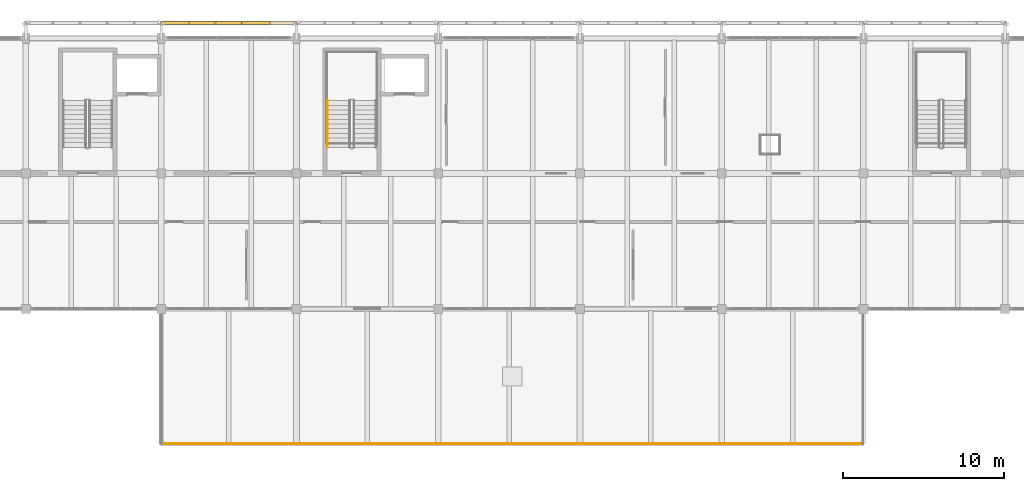
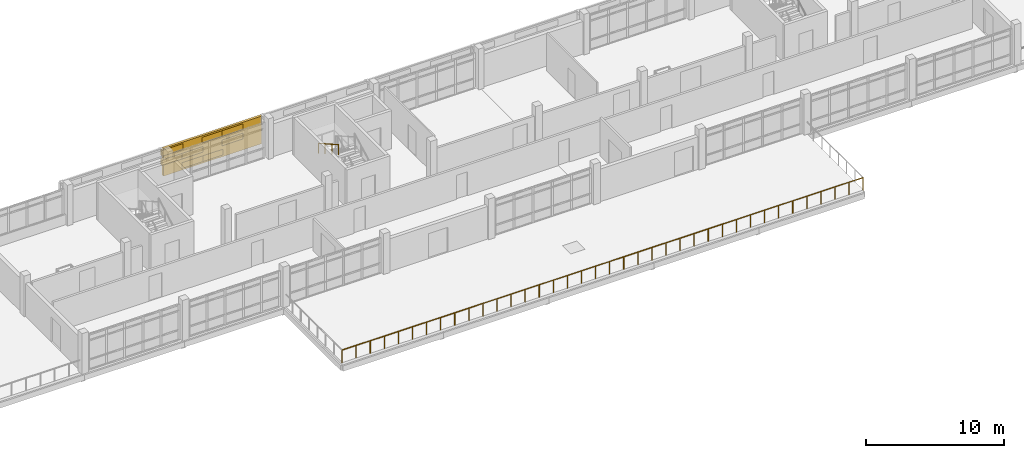
# One storey, part 27 of 30: 8 coverings, 2 railings, 1 shading device.
"""IFC4 building model written with IfcOpenShell, lengths in metres."""

from ifc_helpers import new_model, si_unit, direction, frame, origin, origin_2d, place, context, subcontext, project, spatial, rectangle, circle, extrude, material, layer, layer_set, type_object, element, save


model = new_model("IFC4")

# Units and contexts
model_context = context("Model", 3, precision=1e-05, world=origin(), true_north=direction((0.0, 1.0)))
body_context = subcontext(model_context, "Body", "Model", "MODEL_VIEW")
ifc_project = project(units=[si_unit("LENGTHUNIT", "METRE"), si_unit("AREAUNIT", "SQUARE_METRE"), si_unit("VOLUMEUNIT", "CUBIC_METRE"), si_unit("PLANEANGLEUNIT", "RADIAN"), si_unit("MASSUNIT", "GRAM", prefix="KILO")], contexts=[model_context])

# Site, building, storey
site_placement = place(None, origin())
site = spatial("IfcSite", under=ifc_project, at=site_placement, CompositionType="ELEMENT")
building_placement = place(site_placement, origin())
building = spatial("IfcBuilding", under=site, at=building_placement, Name="Cinderway Yard Community Centre", CompositionType="ELEMENT")
storey_placement = place(building_placement, frame((0.0, 0.0, 16.5)))
storey = spatial("IfcBuildingStorey", under=building, at=storey_placement, Name="L04", CompositionType="ELEMENT", Elevation=16.5)

# Coverings
ifc_material_1 = material(Name="Brick Masonry", Category="masonry")
ifc_layer = layer(ifc_material_1, 0.18994140625, Name="Brick Masonry")
ifc_layer_set = layer_set([ifc_layer], Name="Brick Masonry")
covering_type = type_object("IfcCoveringType", Name="ENV-COV-BRK-SCREEN", PredefinedType="CLADDING", material=ifc_layer_set)
for number, where, z_axis, x_axis, name in (
    (1, (69.320068359375, 116.14990234375, 0.7900390625), (0.0, 0.0, 1.0), (1.0, 0.0, 0.0), "Open-bond perforated brick screen course 00374"),
    (2, (71.0, 116.14990234375, 0.7900390625), (0.0, 0.0, 1.0), (1.0, 0.0, 0.0), "Open-bond perforated brick screen course 00375"),
    (3, (67.639892578125, 116.14990234375, 1.62109375), (0.0, 0.0, 1.0), (1.0, 0.0, 0.0), "Open-bond perforated brick screen course 00377"),
    (4, (69.320068359375, 116.14990234375, 1.62109375), (0.0, 0.0, 1.0), (1.0, 0.0, 0.0), "Open-bond perforated brick screen course 00378"),
    (5, (72.679931640625, 116.14990234375, 1.62109375), (0.0, 0.0, 1.0), (1.0, 0.0, 0.0), "Open-bond perforated brick screen course 00379"),
    (6, (67.639892578125, 116.14990234375, 2.4521484375), (0.0, 0.0, 1.0), (1.0, 0.0, 0.0), "Open-bond perforated brick screen course 00381"),
    (7, (71.0, 116.14990234375, 2.4521484375), (0.0, 0.0, 1.0), (1.0, 0.0, 0.0), "Open-bond perforated brick screen course 00382"),
    (8, (72.679931640625, 116.14990234375, 2.4521484375), (0.0, 0.0, 1.0), (1.0, 0.0, 0.0), "Open-bond perforated brick screen course 00383"),
):
    element("IfcCovering", number, at=place(storey_placement, frame(where, z_axis=z_axis, x_axis=x_axis)), inside=storey, type_object=covering_type, Name=name, PredefinedType="CLADDING", context=body_context, shape_type="SweptSolid", body=[
        extrude(rectangle(XDim=1.760009765625, YDim=0.18994140625, at=origin_2d()), origin(), (0.0, 0.0, 1.0), 0.508056640625),
    ])

# Shading device
shading_device_type = type_object("IfcShadingDeviceType", Name="ENV-SHD-BRICKSCREEN-A", PredefinedType="USERDEFINED", material=ifc_material_1)
shading_device_placement = place(storey_placement, frame((71.0, 116.14990234375, 0.64990234375), z_axis=(0.0, 0.0, 1.0), x_axis=(1.0, 0.0, 0.0)))
element("IfcShadingDevice", 9, at=shading_device_placement, inside=storey, type_object=shading_device_type, Name="Street Perforated Brick Screen 0276", ObjectType="PERFORATED BRICK SCREEN", PredefinedType="USERDEFINED", context=body_context, shape_type="SweptSolid", body=[
    extrude(rectangle(XDim=8.199951171875, YDim=0.18994140625, at=origin_2d()), origin(), (0.0, 0.0, 1.0), 2.449951171875),
])

# Railings
ifc_material_2 = material(Name="Painted Galvanised Steel", Category="steel")
railing_type_1 = type_object("IfcRailingType", Name="INT-RAL-GRD112", PredefinedType="GUARDRAIL", material=ifc_material_2)
railing_1_placement = place(storey_placement, frame((66.800048828125, 90.02001953125, 0.0)))
element("IfcRailing", 10, at=railing_1_placement, inside=storey, type_object=railing_type_1, Name="V4 L04 South Courtyard Terrace Guard 046", PredefinedType="GUARDRAIL", context=body_context, shape_type="SweptSolid", body=[
    extrude(circle(Radius=0.02392578125, at=origin_2d()), frame((0.0, 0.0, 1.09619140625), z_axis=(1.0, 0.0, 0.0), x_axis=(0.0, 1.0, 0.0)), (0.0, 0.0, 1.0), 43.579833984375),
    extrude(circle(Radius=0.02099609375, at=origin_2d()), origin(), (0.0, 0.0, 1.0), 1.072021484375),
    extrude(circle(Radius=0.02099609375, at=origin_2d()), frame((1.177734375, 0.0, 0.0)), (0.0, 0.0, 1.0), 1.072021484375),
    extrude(circle(Radius=0.02099609375, at=origin_2d()), frame((2.355712890625, 0.0, 0.0)), (0.0, 0.0, 1.0), 1.072021484375),
    extrude(circle(Radius=0.02099609375, at=origin_2d()), frame((3.533447265625, 0.0, 0.0)), (0.0, 0.0, 1.0), 1.072021484375),
    extrude(circle(Radius=0.02099609375, at=origin_2d()), frame((4.71142578125, 0.0, 0.0)), (0.0, 0.0, 1.0), 1.072021484375),
    extrude(circle(Radius=0.02099609375, at=origin_2d()), frame((5.88916015625, 0.0, 0.0)), (0.0, 0.0, 1.0), 1.072021484375),
    extrude(circle(Radius=0.02099609375, at=origin_2d()), frame((7.06689453125, 0.0, 0.0)), (0.0, 0.0, 1.0), 1.072021484375),
    extrude(circle(Radius=0.02099609375, at=origin_2d()), frame((8.244873046875, 0.0, 0.0)), (0.0, 0.0, 1.0), 1.072021484375),
    extrude(circle(Radius=0.02099609375, at=origin_2d()), frame((9.422607421875, 0.0, 0.0)), (0.0, 0.0, 1.0), 1.072021484375),
    extrude(circle(Radius=0.02099609375, at=origin_2d()), frame((10.6005859375, 0.0, 0.0)), (0.0, 0.0, 1.0), 1.072021484375),
    extrude(circle(Radius=0.02099609375, at=origin_2d()), frame((11.7783203125, 0.0, 0.0)), (0.0, 0.0, 1.0), 1.072021484375),
    extrude(circle(Radius=0.02099609375, at=origin_2d()), frame((12.9560546875, 0.0, 0.0)), (0.0, 0.0, 1.0), 1.072021484375),
    extrude(circle(Radius=0.02099609375, at=origin_2d()), frame((14.134033203125, 0.0, 0.0)), (0.0, 0.0, 1.0), 1.072021484375),
    extrude(circle(Radius=0.02099609375, at=origin_2d()), frame((15.311767578125, 0.0, 0.0)), (0.0, 0.0, 1.0), 1.072021484375),
    extrude(circle(Radius=0.02099609375, at=origin_2d()), frame((16.48974609375, 0.0, 0.0)), (0.0, 0.0, 1.0), 1.072021484375),
    extrude(circle(Radius=0.02099609375, at=origin_2d()), frame((17.66748046875, 0.0, 0.0)), (0.0, 0.0, 1.0), 1.072021484375),
    extrude(circle(Radius=0.02099609375, at=origin_2d()), frame((18.84521484375, 0.0, 0.0)), (0.0, 0.0, 1.0), 1.072021484375),
    extrude(circle(Radius=0.02099609375, at=origin_2d()), frame((20.023193359375, 0.0, 0.0)), (0.0, 0.0, 1.0), 1.072021484375),
    extrude(circle(Radius=0.02099609375, at=origin_2d()), frame((21.200927734375, 0.0, 0.0)), (0.0, 0.0, 1.0), 1.072021484375),
    extrude(circle(Radius=0.02099609375, at=origin_2d()), frame((22.37890625, 0.0, 0.0)), (0.0, 0.0, 1.0), 1.072021484375),
    extrude(circle(Radius=0.02099609375, at=origin_2d()), frame((23.556640625, 0.0, 0.0)), (0.0, 0.0, 1.0), 1.072021484375),
    extrude(circle(Radius=0.02099609375, at=origin_2d()), frame((24.734619140625, 0.0, 0.0)), (0.0, 0.0, 1.0), 1.072021484375),
    extrude(circle(Radius=0.02099609375, at=origin_2d()), frame((25.912353515625, 0.0, 0.0)), (0.0, 0.0, 1.0), 1.072021484375),
    extrude(circle(Radius=0.02099609375, at=origin_2d()), frame((27.090087890625, 0.0, 0.0)), (0.0, 0.0, 1.0), 1.072021484375),
    extrude(circle(Radius=0.02099609375, at=origin_2d()), frame((28.26806640625, 0.0, 0.0)), (0.0, 0.0, 1.0), 1.072021484375),
    extrude(circle(Radius=0.02099609375, at=origin_2d()), frame((29.44580078125, 0.0, 0.0)), (0.0, 0.0, 1.0), 1.072021484375),
    extrude(circle(Radius=0.02099609375, at=origin_2d()), frame((30.623779296875, 0.0, 0.0)), (0.0, 0.0, 1.0), 1.072021484375),
    extrude(circle(Radius=0.02099609375, at=origin_2d()), frame((31.801513671875, 0.0, 0.0)), (0.0, 0.0, 1.0), 1.072021484375),
    extrude(circle(Radius=0.02099609375, at=origin_2d()), frame((32.979248046875, 0.0, 0.0)), (0.0, 0.0, 1.0), 1.072021484375),
    extrude(circle(Radius=0.02099609375, at=origin_2d()), frame((34.1572265625, 0.0, 0.0)), (0.0, 0.0, 1.0), 1.072021484375),
    extrude(circle(Radius=0.02099609375, at=origin_2d()), frame((35.3349609375, 0.0, 0.0)), (0.0, 0.0, 1.0), 1.072021484375),
    extrude(circle(Radius=0.02099609375, at=origin_2d()), frame((36.512939453125, 0.0, 0.0)), (0.0, 0.0, 1.0), 1.072021484375),
    extrude(circle(Radius=0.02099609375, at=origin_2d()), frame((37.690673828125, 0.0, 0.0)), (0.0, 0.0, 1.0), 1.072021484375),
    extrude(circle(Radius=0.02099609375, at=origin_2d()), frame((38.868408203125, 0.0, 0.0)), (0.0, 0.0, 1.0), 1.072021484375),
    extrude(circle(Radius=0.02099609375, at=origin_2d()), frame((40.04638671875, 0.0, 0.0)), (0.0, 0.0, 1.0), 1.072021484375),
    extrude(circle(Radius=0.02099609375, at=origin_2d()), frame((41.22412109375, 0.0, 0.0)), (0.0, 0.0, 1.0), 1.072021484375),
    extrude(circle(Radius=0.02099609375, at=origin_2d()), frame((42.402099609375, 0.0, 0.0)), (0.0, 0.0, 1.0), 1.072021484375),
    extrude(circle(Radius=0.02099609375, at=origin_2d()), frame((43.579833984375, 0.0, 0.0)), (0.0, 0.0, 1.0), 1.072021484375),
])
railing_type_2 = type_object("IfcRailingType", Name="INT-RAL-HND090", PredefinedType="HANDRAIL", material=ifc_material_2)
railing_2_placement = place(storey_placement, frame((77.1298828125, 111.330078125, 1.963623046875)))
element("IfcRailing", 11, at=railing_2_placement, inside=storey, type_object=railing_type_2, Name="L04 ST-02 stair handrail 2", PredefinedType="HANDRAIL", context=body_context, shape_type="SweptSolid", body=[
    extrude(circle(Radius=0.02392578125, at=origin_2d()), frame((0.0, 0.0, 0.8759765625), z_axis=(0.0, -0.870914908162, 0.491433843708), x_axis=(1.0, 0.0, 0.0)), (0.0, 0.0, 1.0), 3.330078125),
    extrude(circle(Radius=0.02099609375, at=origin_2d()), origin(), (0.0, 0.0, 1.0), 0.851806640625),
    extrude(circle(Radius=0.02099609375, at=origin_2d()), frame((0.0, -0.966796875, 0.54541015625)), (0.0, 0.0, 1.0), 0.851806640625),
    extrude(circle(Radius=0.02099609375, at=origin_2d()), frame((0.0, -1.933349609375, 1.091064453125)), (0.0, 0.0, 1.0), 0.851806640625),
    extrude(circle(Radius=0.02099609375, at=origin_2d()), frame((0.0, -2.900146484375, 1.636474609375)), (0.0, 0.0, 1.0), 0.851806640625),
])

save(model, "model.ifc")
